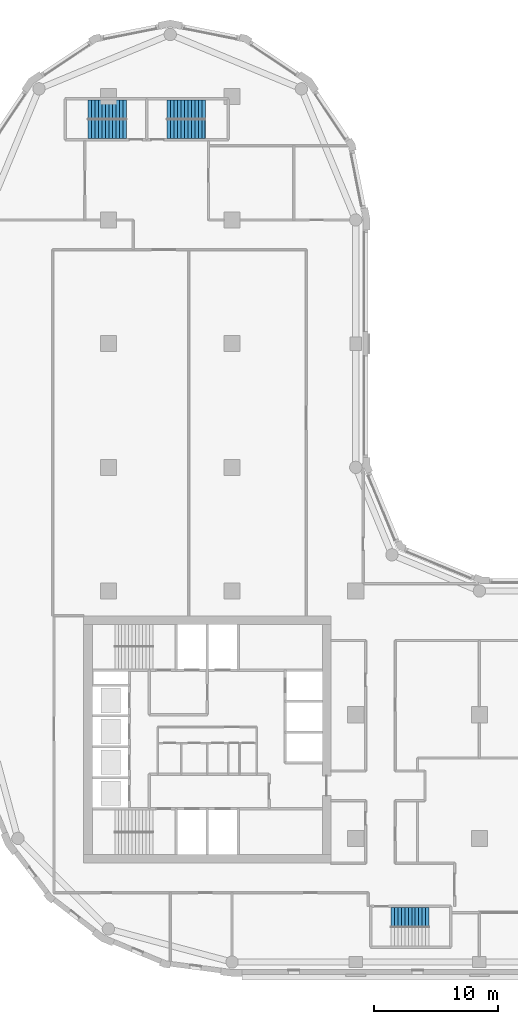
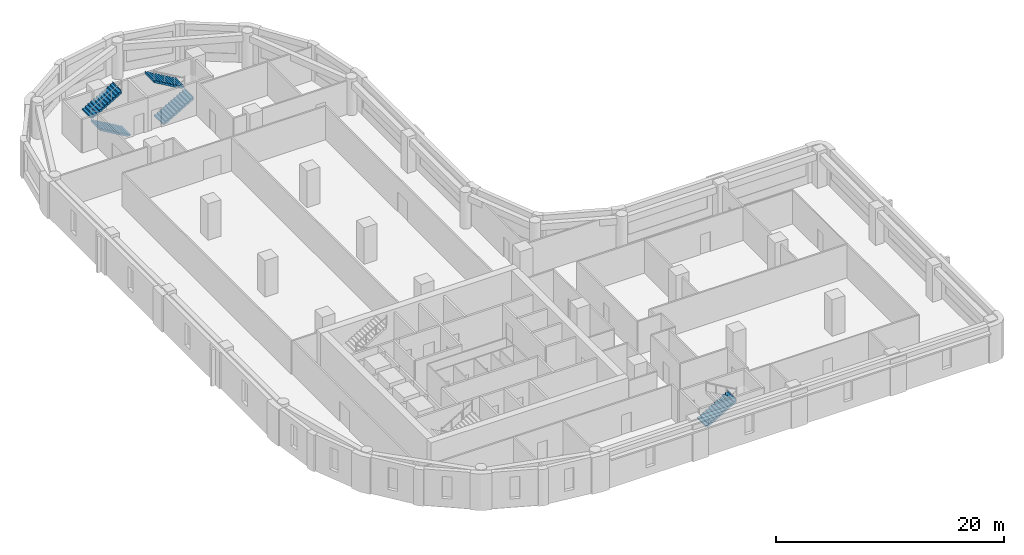
# One storey, part 7 of 9: 5 stair flights, 3 elements without a shape of their own.
"""IFC4 building model written with IfcOpenShell, lengths in metres."""

from ifc_helpers import new_model, si_unit, direction, frame, origin, place, context, subcontext, project, spatial, polyline, outline, extrude, material, type_object, element, aggregate, save


model = new_model("IFC4")

# Units and contexts
model_context = context("Model", 3, precision=1e-05, world=origin(), true_north=direction((0.0, 1.0)))
body_context = subcontext(model_context, "Body", "Model", "MODEL_VIEW")
ifc_project = project(units=[si_unit("LENGTHUNIT", "METRE"), si_unit("AREAUNIT", "SQUARE_METRE"), si_unit("VOLUMEUNIT", "CUBIC_METRE"), si_unit("PLANEANGLEUNIT", "RADIAN"), si_unit("MASSUNIT", "GRAM", prefix="KILO")], contexts=[model_context])

# Site, building, storey
site_placement = place(None, origin())
site = spatial("IfcSite", under=ifc_project, at=site_placement, CompositionType="ELEMENT")
building_placement = place(site_placement, origin())
building = spatial("IfcBuilding", under=site, at=building_placement, Name="Qaws Garden Tower", CompositionType="ELEMENT")
storey_placement = place(building_placement, frame((0.0, 0.0, 147.300048828125)))
storey = spatial("IfcBuildingStorey", under=building, at=storey_placement, Name="L35", CompositionType="ELEMENT", Elevation=147.300048828125)

# Stair, stair flight
ifc_material_1 = material(Name="Concrete C40", Category="concrete")
stair_type = type_object("IfcStairType", Name="Exit stair 1350", PredefinedType="HALF_TURN_STAIR", material=ifc_material_1)
placement = place(storey_placement, origin())
stair_1 = element("IfcStair", 1, at=placement, inside=storey, type_object=stair_type, Name="Stair 5", PredefinedType="HALF_TURN_STAIR")
ifc_material_2 = material(Name="Concrete C40", Category="concrete")
stair_flight_type = type_object("IfcStairFlightType", Name="Stair flight 1350", PredefinedType="STRAIGHT", material=ifc_material_2)
stair_flight_1_placement = place(storey_placement, frame((32.85009765625, 3.625, 0.0), z_axis=(0.0, 0.0, 1.0), x_axis=(1.0, 0.0, 0.0)))
stair_flight_1 = element("IfcStairFlight", 2, at=stair_flight_1_placement, type_object=stair_flight_type, Name="ST5 flight 1", NumberOfRisers=12, NumberOfTreads=11, PredefinedType="STRAIGHT", RiserHeight=0.1625, TreadLength=0.28, context=body_context, shape_type="SweptSolid", body=[
    extrude(outline(polyline([(-0.0029296875, 0.0), (-0.0029296875, 0.16259765625), (0.0, 0.16259765625), (0.280029296875, 0.16259765625), (0.280029296875, 0.324951171875), (0.56005859375, 0.324951171875), (0.56005859375, 0.487548828125), (0.840087890625, 0.487548828125), (0.840087890625, 0.64990234375), (1.1201171875, 0.64990234375), (1.1201171875, 0.8125), (1.39990234375, 0.8125), (1.39990234375, 0.97509765625), (1.679931640625, 0.97509765625), (1.679931640625, 1.137451171875), (1.9599609375, 1.137451171875), (1.9599609375, 1.300048828125), (2.239990234375, 1.300048828125), (2.239990234375, 1.46240234375), (2.52001953125, 1.46240234375), (2.52001953125, 1.625), (2.800048828125, 1.625), (2.800048828125, 1.78759765625), (3.080078125, 1.78759765625), (3.080078125, 1.949951171875), (3.0830078125, 1.949951171875), (3.0830078125, 1.6142578125), (3.080078125, 1.6142578125), (0.298583984375, 0.0), (-0.0029296875, 0.0)])), frame((0.0, 0.77490234375, 0.0), z_axis=(0.0, -1.0, 0.0), x_axis=(1.0, 0.0, 0.0)), (0.0, 0.0, 1.0), 1.550048828125),
])
aggregate(stair_1, [stair_flight_1])

# Stair, stair flights
stair_2 = element("IfcStair", 3, at=placement, inside=storey, type_object=stair_type, Name="Stair 6", PredefinedType="HALF_TURN_STAIR")
stair_flight_2_placement = place(storey_placement, frame((11.449951171875, 67.375, 0.0), z_axis=(0.0, 0.0, 1.0), x_axis=(-1.0, 0.0, 0.0)))
stair_flight_2 = element("IfcStairFlight", 4, at=stair_flight_2_placement, type_object=stair_flight_type, Name="ST6 flight 1", NumberOfRisers=12, NumberOfTreads=11, PredefinedType="STRAIGHT", RiserHeight=0.1625, TreadLength=0.28, context=body_context, shape_type="SweptSolid", body=[
    extrude(outline(polyline([(-0.0029296875, 0.0), (-0.0029296875, 0.16259765625), (0.0, 0.16259765625), (0.280029296875, 0.16259765625), (0.280029296875, 0.324951171875), (0.56005859375, 0.324951171875), (0.56005859375, 0.487548828125), (0.840087890625, 0.487548828125), (0.840087890625, 0.64990234375), (1.1201171875, 0.64990234375), (1.1201171875, 0.8125), (1.39990234375, 0.8125), (1.39990234375, 0.97509765625), (1.679931640625, 0.97509765625), (1.679931640625, 1.137451171875), (1.9599609375, 1.137451171875), (1.9599609375, 1.300048828125), (2.239990234375, 1.300048828125), (2.239990234375, 1.46240234375), (2.52001953125, 1.46240234375), (2.52001953125, 1.625), (2.800048828125, 1.625), (2.800048828125, 1.78759765625), (3.080078125, 1.78759765625), (3.080078125, 1.949951171875), (3.0830078125, 1.949951171875), (3.0830078125, 1.6142578125), (3.080078125, 1.6142578125), (0.298583984375, 0.0), (-0.0029296875, 0.0)])), frame((0.0, 0.77490234375, 0.0), z_axis=(0.0, -1.0, 0.0), x_axis=(1.0, 0.0, 0.0)), (0.0, 0.0, 1.0), 1.550048828125),
])
stair_flight_3_placement = place(storey_placement, frame((8.3701171875, 68.925048828125, 1.949951171875), z_axis=(0.0, 0.0, 1.0), x_axis=(1.0, 0.0, 0.0)))
stair_flight_3 = element("IfcStairFlight", 5, at=stair_flight_3_placement, type_object=stair_flight_type, Name="ST6 flight 2", NumberOfRisers=12, NumberOfTreads=11, PredefinedType="STRAIGHT", RiserHeight=0.1625, TreadLength=0.28, context=body_context, shape_type="SweptSolid", body=[
    extrude(outline(polyline([(-0.0029296875, 0.0), (-0.0029296875, 0.16259765625), (0.0, 0.16259765625), (0.280029296875, 0.16259765625), (0.280029296875, 0.324951171875), (0.56005859375, 0.324951171875), (0.56005859375, 0.487548828125), (0.840087890625, 0.487548828125), (0.840087890625, 0.64990234375), (1.1201171875, 0.64990234375), (1.1201171875, 0.8125), (1.39990234375, 0.8125), (1.39990234375, 0.97509765625), (1.679931640625, 0.97509765625), (1.679931640625, 1.137451171875), (1.9599609375, 1.137451171875), (1.9599609375, 1.300048828125), (2.239990234375, 1.300048828125), (2.239990234375, 1.46240234375), (2.52001953125, 1.46240234375), (2.52001953125, 1.625), (2.800048828125, 1.625), (2.800048828125, 1.78759765625), (3.080078125, 1.78759765625), (3.080078125, 1.949951171875), (3.0830078125, 1.949951171875), (3.0830078125, 1.6142578125), (3.080078125, 1.6142578125), (0.298583984375, 0.0), (-0.0029296875, 0.0)])), frame((0.0, 0.77490234375, 0.0), z_axis=(0.0, -1.0, 0.0), x_axis=(1.0, 0.0, 0.0)), (0.0, 0.0, 1.0), 1.550048828125),
])
aggregate(stair_2, [stair_flight_2, stair_flight_3])

stair_3 = element("IfcStair", 6, at=placement, inside=storey, type_object=stair_type, Name="Stair 7", PredefinedType="HALF_TURN_STAIR")
stair_flight_4_placement = place(storey_placement, frame((14.75, 67.375, 0.0), z_axis=(0.0, 0.0, 1.0), x_axis=(1.0, 0.0, 0.0)))
stair_flight_4 = element("IfcStairFlight", 7, at=stair_flight_4_placement, type_object=stair_flight_type, Name="ST7 flight 1", NumberOfRisers=12, NumberOfTreads=11, PredefinedType="STRAIGHT", RiserHeight=0.1625, TreadLength=0.28, context=body_context, shape_type="SweptSolid", body=[
    extrude(outline(polyline([(-0.0029296875, 0.0), (-0.0029296875, 0.16259765625), (0.0, 0.16259765625), (0.280029296875, 0.16259765625), (0.280029296875, 0.324951171875), (0.56005859375, 0.324951171875), (0.56005859375, 0.487548828125), (0.840087890625, 0.487548828125), (0.840087890625, 0.64990234375), (1.1201171875, 0.64990234375), (1.1201171875, 0.8125), (1.39990234375, 0.8125), (1.39990234375, 0.97509765625), (1.679931640625, 0.97509765625), (1.679931640625, 1.137451171875), (1.9599609375, 1.137451171875), (1.9599609375, 1.300048828125), (2.239990234375, 1.300048828125), (2.239990234375, 1.46240234375), (2.52001953125, 1.46240234375), (2.52001953125, 1.625), (2.800048828125, 1.625), (2.800048828125, 1.78759765625), (3.080078125, 1.78759765625), (3.080078125, 1.949951171875), (3.0830078125, 1.949951171875), (3.0830078125, 1.6142578125), (3.080078125, 1.6142578125), (0.298583984375, 0.0), (-0.0029296875, 0.0)])), frame((0.0, 0.77490234375, 0.0), z_axis=(0.0, -1.0, 0.0), x_axis=(1.0, 0.0, 0.0)), (0.0, 0.0, 1.0), 1.550048828125),
])
stair_flight_5_placement = place(storey_placement, frame((17.830078125, 68.925048828125, 1.949951171875), z_axis=(0.0, 0.0, 1.0), x_axis=(-1.0, 0.0, 0.0)))
stair_flight_5 = element("IfcStairFlight", 8, at=stair_flight_5_placement, type_object=stair_flight_type, Name="ST7 flight 2", NumberOfRisers=12, NumberOfTreads=11, PredefinedType="STRAIGHT", RiserHeight=0.1625, TreadLength=0.28, context=body_context, shape_type="SweptSolid", body=[
    extrude(outline(polyline([(-0.0029296875, 0.0), (-0.0029296875, 0.16259765625), (0.0, 0.16259765625), (0.280029296875, 0.16259765625), (0.280029296875, 0.324951171875), (0.56005859375, 0.324951171875), (0.56005859375, 0.487548828125), (0.840087890625, 0.487548828125), (0.840087890625, 0.64990234375), (1.1201171875, 0.64990234375), (1.1201171875, 0.8125), (1.39990234375, 0.8125), (1.39990234375, 0.97509765625), (1.679931640625, 0.97509765625), (1.679931640625, 1.137451171875), (1.9599609375, 1.137451171875), (1.9599609375, 1.300048828125), (2.239990234375, 1.300048828125), (2.239990234375, 1.46240234375), (2.52001953125, 1.46240234375), (2.52001953125, 1.625), (2.800048828125, 1.625), (2.800048828125, 1.78759765625), (3.080078125, 1.78759765625), (3.080078125, 1.949951171875), (3.0830078125, 1.949951171875), (3.0830078125, 1.6142578125), (3.080078125, 1.6142578125), (0.298583984375, 0.0), (-0.0029296875, 0.0)])), frame((0.0, 0.77490234375, 0.0), z_axis=(0.0, -1.0, 0.0), x_axis=(1.0, 0.0, 0.0)), (0.0, 0.0, 1.0), 1.550048828125),
])
aggregate(stair_3, [stair_flight_4, stair_flight_5])

save(model, "model.ifc")
